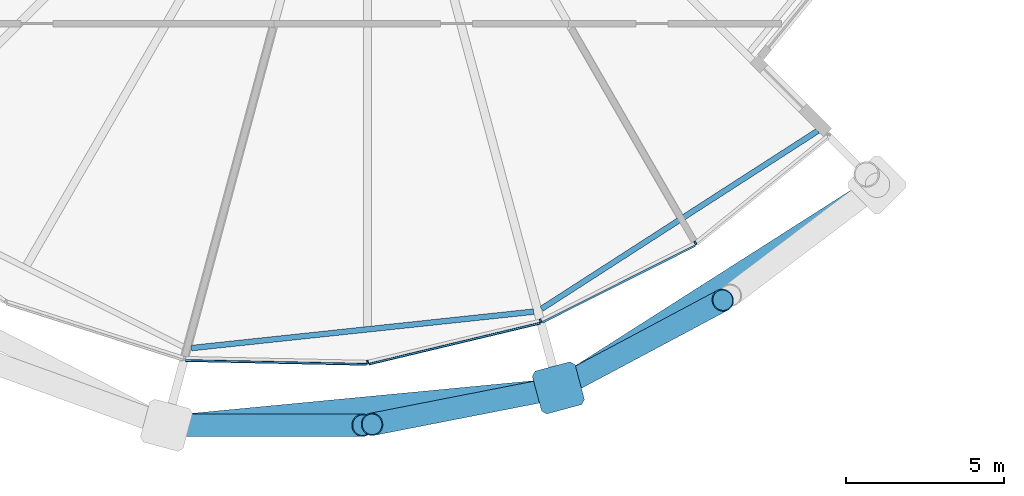
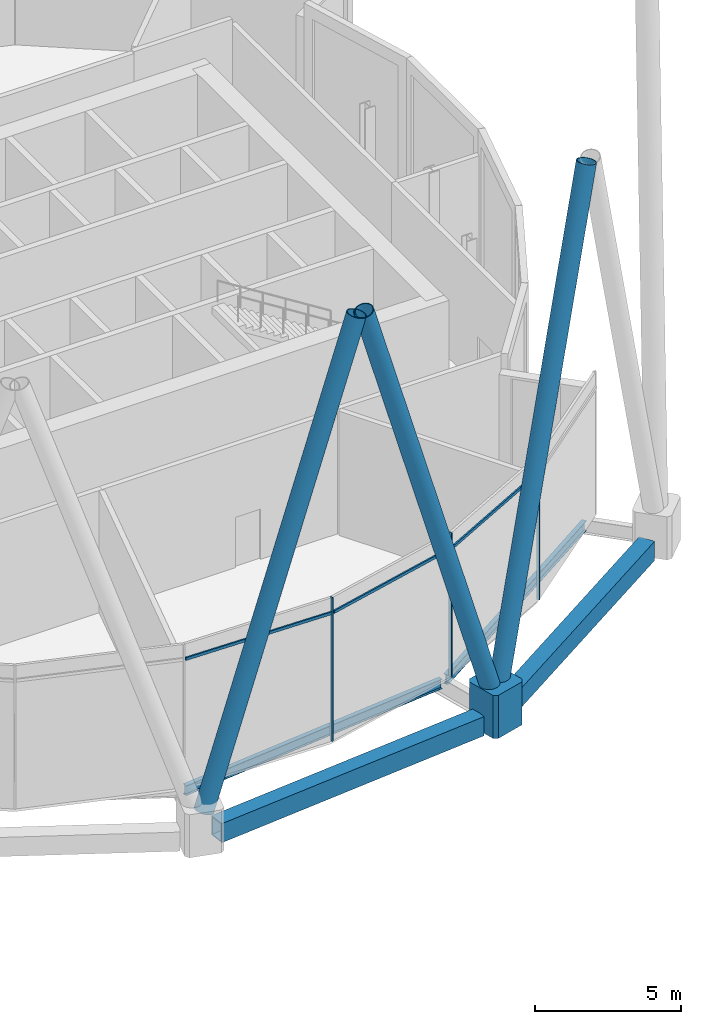
# One storey, part 20 of 39: 10 members, 4 beams, 1 element without a shape of its own.
"""IFC4 building model written with IfcOpenShell, lengths in metres."""

from ifc_helpers import new_model, si_unit, direction, frame, origin, origin_2d, place, context, subcontext, project, spatial, polyline, rectangle, hollow_rectangle, hollow_circle, i_section, outline, extrude, material, material_profile, profile_set, type_object, element, aggregate, save


model = new_model("IFC4")

# Units and contexts
model_context = context("Model", 3, precision=1e-05, world=origin(), true_north=direction((0.0, 1.0)))
body_context = subcontext(model_context, "Body", "Model", "MODEL_VIEW")
ifc_project = project(units=[si_unit("LENGTHUNIT", "METRE"), si_unit("AREAUNIT", "SQUARE_METRE"), si_unit("VOLUMEUNIT", "CUBIC_METRE"), si_unit("PLANEANGLEUNIT", "RADIAN"), si_unit("MASSUNIT", "GRAM", prefix="KILO")], contexts=[model_context])

# Site, building, storey
site_placement = place(None, origin())
site = spatial("IfcSite", under=ifc_project, at=site_placement, CompositionType="ELEMENT")
building_placement = place(site_placement, origin())
building = spatial("IfcBuilding", under=site, at=building_placement, Name="Rimbun Link Towers", CompositionType="ELEMENT")
storey_placement = place(building_placement, frame((0.0, 0.0, 127.199951171875)))
storey = spatial("IfcBuildingStorey", under=building, at=storey_placement, Name="L31", CompositionType="ELEMENT", Elevation=127.199951171875)

# Curtain wall, members
ifc_material_1 = material(Name="Aluminium 6063-T6 louvre wall", Category="aluminium")
curtain_wall_type = type_object("IfcCurtainWallType", Name="CW6 plant floor louvre wall", PredefinedType="NOTDEFINED", material=ifc_material_1)
curtain_wall_placement = place(storey_placement, origin())
curtain_wall = element("IfcCurtainWall", 1, at=curtain_wall_placement, inside=storey, type_object=curtain_wall_type, Name="CW6 L31 T2", PredefinedType="NOTDEFINED")
ifc_material_2 = material(Name="Aluminium 6063-T6", Category="aluminium")
ifc_material_profile_1 = material_profile(ifc_material_2, rectangle(XDim=0.1201171875, YDim=0.06005859375, at=origin_2d()), Name="MULLION 60X120")
ifc_profile_set_1 = profile_set([ifc_material_profile_1], Name="Aluminium 6063-T6")
member_type_1 = type_object("IfcMemberType", Name="CW6 mullion 60X120", PredefinedType="MULLION", material=ifc_profile_set_1)
member_1_placement = place(storey_placement, frame((31.75634765625, -21.690185546875, 0.0), z_axis=(0.0, 0.0, 1.0), x_axis=(0.106643372198, -0.994297335391, 0.0)))
member_1 = element("IfcMember", 2, at=member_1_placement, type_object=member_type_1, Name="CW6 mullion", PredefinedType="MULLION", context=body_context, shape_type="SweptSolid", body=[
    extrude(rectangle(XDim=0.1201171875, YDim=0.06005859375, at=origin_2d()), origin(), (0.0, 0.0, 1.0), 6.0),
])
member_2_placement = place(storey_placement, frame((37.217529296875, -20.38427734375, 0.0), z_axis=(0.0, 0.0, 1.0), x_axis=(0.342974763868, -0.939344617992, 0.0)))
member_2 = element("IfcMember", 3, at=member_2_placement, type_object=member_type_1, Name="CW6 mullion", PredefinedType="MULLION", context=body_context, shape_type="SweptSolid", body=[
    extrude(rectangle(XDim=0.1201171875, YDim=0.06005859375, at=origin_2d()), origin(), (0.0, 0.0, 1.0), 6.0),
])
member_3_placement = place(storey_placement, frame((42.105224609375, -17.9296875, 0.0), z_axis=(0.0, 0.0, 1.0), x_axis=(0.542101203151, -0.840313206812, 0.0)))
member_3 = element("IfcMember", 4, at=member_3_placement, type_object=member_type_1, Name="CW6 mullion", PredefinedType="MULLION", context=body_context, shape_type="SweptSolid", body=[
    extrude(rectangle(XDim=0.1201171875, YDim=0.06005859375, at=origin_2d()), origin(), (0.0, 0.0, 1.0), 6.0),
])
ifc_material_3 = material(Name="Aluminium 6063-T6", Category="aluminium")
ifc_material_profile_2 = material_profile(ifc_material_3, rectangle(XDim=0.06005859375, YDim=0.1201171875, at=origin_2d()), Name="TRANSOM 60X120")
ifc_profile_set_2 = profile_set([ifc_material_profile_2], Name="Aluminium 6063-T6")
member_type_2 = type_object("IfcMemberType", Name="CW6 transom 60X120", PredefinedType="USERDEFINED", material=ifc_profile_set_2)
member_4_placement = place(storey_placement, frame((31.71728515625, -21.760009765625, 5.400146484375), z_axis=(-0.999778296318, 0.021056073019, 0.0), x_axis=(-0.021056073019, -0.999778296318, 0.0)))
member_4 = element("IfcMember", 5, at=member_4_placement, type_object=member_type_2, Name="CW6 transom", ObjectType="TRANSOM", PredefinedType="USERDEFINED", context=body_context, shape_type="SweptSolid", body=[
    extrude(rectangle(XDim=0.06005859375, YDim=0.1201171875, at=origin_2d()), origin(), (0.0, 0.0, 1.0), 5.70458984375),
])
member_5_placement = place(storey_placement, frame((37.197998046875, -20.46142578125, 5.400146484375), z_axis=(-0.972579758351, -0.232569588826, 0.0), x_axis=(0.232569588826, -0.972579758351, 0.0)))
member_5 = element("IfcMember", 6, at=member_5_placement, type_object=member_type_2, Name="CW6 transom", ObjectType="TRANSOM", PredefinedType="USERDEFINED", context=body_context, shape_type="SweptSolid", body=[
    extrude(rectangle(XDim=0.06005859375, YDim=0.1201171875, at=origin_2d()), origin(), (0.0, 0.0, 1.0), 5.54052734375),
])
member_6_placement = place(storey_placement, frame((42.104248046875, -18.009033203125, 5.400146484375), z_axis=(-0.893647650402, -0.448769291431, 0.0), x_axis=(0.448769291431, -0.893647650402, 0.0)))
member_6 = element("IfcMember", 7, at=member_6_placement, type_object=member_type_2, Name="CW6 transom", ObjectType="TRANSOM", PredefinedType="USERDEFINED", context=body_context, shape_type="SweptSolid", body=[
    extrude(rectangle(XDim=0.06005859375, YDim=0.1201171875, at=origin_2d()), origin(), (0.0, 0.0, 1.0), 5.396240234375),
])
aggregate(curtain_wall, [member_1, member_2, member_3, member_4, member_5, member_6])

# Members
ifc_material_4 = material(Name="Steel S460NH", Category="steel")
ifc_material_profile_3 = material_profile(ifc_material_4, hollow_circle(Radius=0.355712890625, WallThickness=0.031982421875, at=origin_2d()), Name="Diagrid diagonal CHS 711x32")
ifc_profile_set_3 = profile_set([ifc_material_profile_3], Name="Steel S460NH")
member_type_3 = type_object("IfcMemberType", Name="Diagrid diagonal CHS 711x32", PredefinedType="BRACE", material=ifc_profile_set_3)
member_7_placement = place(storey_placement, frame((25.558349609375, -23.6826171875, 0.475830078125), z_axis=(0.308017923059, 7.4731401e-05, 0.951380551351), x_axis=(-0.000242620292, 0.999999970568, 0.0)))
element("IfcMember", 8, at=member_7_placement, inside=storey, type_object=member_type_3, Name="Diagrid diagonal T2 L31-L35 14b", PredefinedType="BRACE", context=body_context, shape_type="SweptSolid", body=[
    extrude(hollow_circle(Radius=0.355712890625, WallThickness=0.031982421875, at=origin_2d()), origin(), (0.0, 0.0, 1.0), 19.6015625),
])
member_8_placement = place(storey_placement, frame((37.63232421875, -22.530029296875, 0.47705078125), z_axis=(-0.293523784795, -0.057447850955, 0.954224047161), x_axis=(0.192073705068, -0.981380503078, 0.0)))
element("IfcMember", 9, at=member_8_placement, inside=storey, type_object=member_type_3, Name="Diagrid diagonal T2 L31-L35 16a", PredefinedType="BRACE", context=body_context, shape_type="SweptSolid", body=[
    extrude(hollow_circle(Radius=0.355712890625, WallThickness=0.031982421875, at=origin_2d()), origin(), (0.0, 0.0, 1.0), 19.54052734375),
])
member_9_placement = place(storey_placement, frame((37.908935546875, -22.43212890625, 0.47802734375), z_axis=(0.259582421547, 0.138395565183, 0.955752914702), x_axis=(-0.470460154362, 0.882421239068, 0.0)))
element("IfcMember", 10, at=member_9_placement, inside=storey, type_object=member_type_3, Name="Diagrid diagonal T2 L31-L35 16b", PredefinedType="BRACE", context=body_context, shape_type="SweptSolid", body=[
    extrude(hollow_circle(Radius=0.355712890625, WallThickness=0.031982421875, at=origin_2d()), origin(), (0.0, 0.0, 1.0), 19.507080078125),
])
ifc_material_5 = material(Name="Cast steel G20Mn5+QT, Rp0.2 300 MPa", Category="steel")
ifc_material_profile_4 = material_profile(ifc_material_5, outline(polyline([(0.699951171875, -0.570068359375), (0.699951171875, 0.570068359375), (0.570068359375, 0.699951171875), (-0.570068359375, 0.699951171875), (-0.699951171875, 0.570068359375), (-0.699951171875, -0.570068359375), (-0.570068359375, -0.699951171875), (0.570068359375, -0.699951171875), (0.699951171875, -0.570068359375)])), Name="NODE 1400x1400")
ifc_profile_set_4 = profile_set([ifc_material_profile_4], Name="Cast steel G20Mn5+QT, Rp0.2 300 MPa")
member_type_4 = type_object("IfcMemberType", Name="Diagrid node cast 1400", PredefinedType="USERDEFINED", material=ifc_profile_set_4)
member_10_placement = place(storey_placement, frame((37.779296875, -22.501220703125, -0.89990234375), z_axis=(0.0, 0.0, 1.0), x_axis=(0.258819045103, -0.965925826289, 0.0)))
element("IfcMember", 11, at=member_10_placement, inside=storey, type_object=member_type_4, Name="Diagrid node L31 16", ObjectType="Diagrid node", PredefinedType="USERDEFINED", context=body_context, shape_type="SweptSolid", body=[
    extrude(outline(polyline([(0.699951171875, -0.570068359375), (0.699951171875, 0.570068359375), (0.570068359375, 0.699951171875), (-0.570068359375, 0.699951171875), (-0.699951171875, 0.570068359375), (-0.699951171875, -0.570068359375), (-0.570068359375, -0.699951171875), (0.570068359375, -0.699951171875), (0.699951171875, -0.570068359375)])), origin(), (0.0, 0.0, 1.0), 1.800048828125),
])

# Beams
ifc_material_6 = material(Name="Steel S355J2", Category="steel")
ifc_material_profile_5 = material_profile(ifc_material_6, hollow_rectangle(XDim=0.60009765625, YDim=0.800048828125, WallThickness=0.0400390625, at=origin_2d()), Name="Exoskeleton ring girder BOX 600x800x40")
ifc_profile_set_5 = profile_set([ifc_material_profile_5], Name="Steel S355J2")
beam_type_1 = type_object("IfcBeamType", Name="Exoskeleton ring girder BOX 600x800x40", PredefinedType="BEAM", material=ifc_profile_set_5)
beam_1_placement = place(storey_placement, frame((26.10107421875, -23.615966796875, -0.56005859375), z_axis=(0.995476254949, 0.095010661683, 0.0), x_axis=(-0.095010661683, 0.995476254949, 0.0)))
element("IfcBeam", 12, at=beam_1_placement, inside=storey, type_object=beam_type_1, Name="Exoskeleton ring girder L31 07", PredefinedType="BEAM", context=body_context, shape_type="SweptSolid", body=[
    extrude(hollow_rectangle(XDim=0.60009765625, YDim=0.800048828125, WallThickness=0.0400390625, at=origin_2d()), origin(), (0.0, 0.0, 1.0), 11.03125),
])
beam_2_placement = place(storey_placement, frame((38.369384765625, -22.125, -0.56005859375), z_axis=(0.843319537927, 0.537412464454, 0.0), x_axis=(-0.537412464454, 0.843319537927, 0.0)))
element("IfcBeam", 13, at=beam_2_placement, inside=storey, type_object=beam_type_1, Name="Exoskeleton ring girder L31 08", PredefinedType="BEAM", context=body_context, shape_type="SweptSolid", body=[
    extrude(hollow_rectangle(XDim=0.60009765625, YDim=0.800048828125, WallThickness=0.0400390625, at=origin_2d()), origin(), (0.0, 0.0, 1.0), 10.530029296875),
])
ifc_material_7 = material(Name="Steel S355J2", Category="steel")
ifc_material_profile_6 = material_profile(ifc_material_7, i_section(OverallWidth=0.177978515625, OverallDepth=0.406494140625, WebThickness=0.0078125, FlangeThickness=0.0126953125, at=origin_2d()), Name="UB 406x178x60")
ifc_profile_set_6 = profile_set([ifc_material_profile_6], Name="Steel S355J2")
beam_type_2 = type_object("IfcBeamType", Name="UB 406x178x60", PredefinedType="BEAM", material=ifc_profile_set_6)
beam_3_placement = place(storey_placement, frame((26.1962890625, -21.245361328125, -0.383056640625), z_axis=(0.994381212598, 0.105858415023, 0.0), x_axis=(-0.105858415023, 0.994381212598, 0.0)))
element("IfcBeam", 14, at=beam_3_placement, inside=storey, type_object=beam_type_2, Name="Edge beam T2 L31 14-16", PredefinedType="BEAM", context=body_context, shape_type="SweptSolid", body=[
    extrude(i_section(OverallWidth=0.177978515625, OverallDepth=0.406494140625, WebThickness=0.0078125, FlangeThickness=0.0126953125, at=origin_2d()), origin(), (0.0, 0.0, 1.0), 10.8603515625),
])
beam_4_placement = place(storey_placement, frame((37.24951171875, -20.0048828125, -0.383056640625), z_axis=(0.840628405294, 0.541612300648, 0.0), x_axis=(-0.541612300648, 0.840628405294, 0.0)))
element("IfcBeam", 15, at=beam_4_placement, inside=storey, type_object=beam_type_2, Name="Edge beam T2 L31 16-18", PredefinedType="BEAM", context=body_context, shape_type="SweptSolid", body=[
    extrude(i_section(OverallWidth=0.177978515625, OverallDepth=0.406494140625, WebThickness=0.0078125, FlangeThickness=0.0126953125, at=origin_2d()), origin(), (0.0, 0.0, 1.0), 10.376708984375),
])

save(model, "model.ifc")
